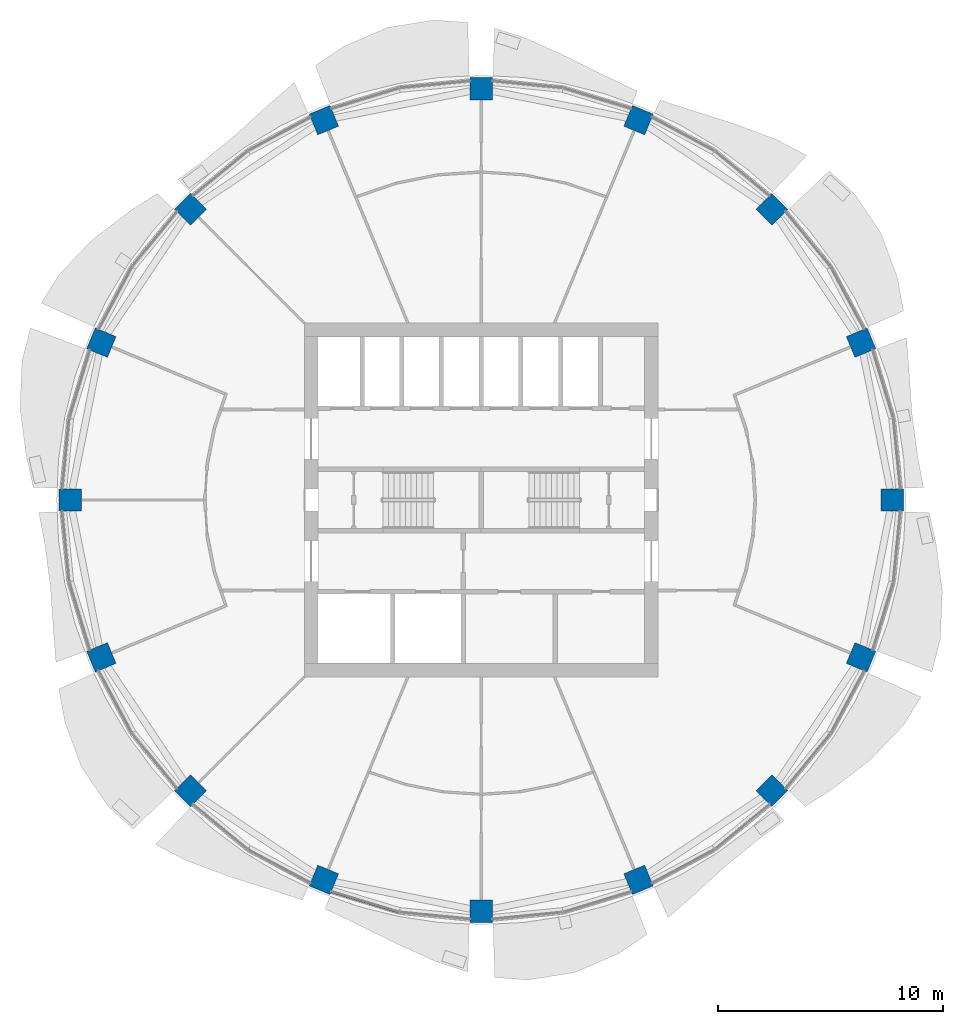
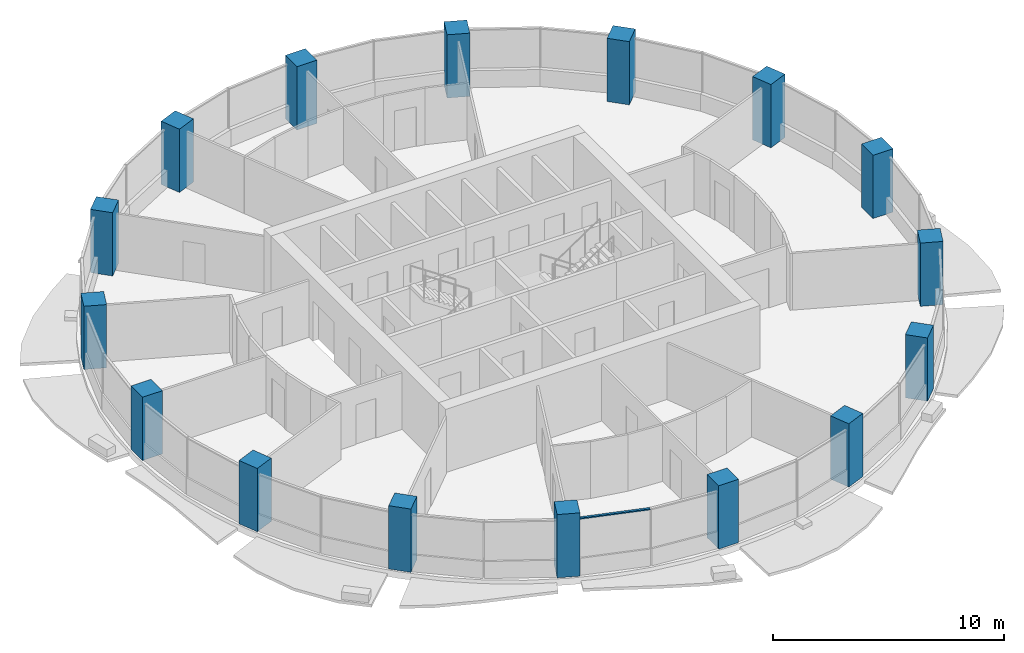
# One storey, part 1 of 14: 16 columns, 1 member, 1 element without a shape of its own.
"""IFC4 building model written with IfcOpenShell, lengths in metres."""

from ifc_helpers import new_model, si_unit, direction, frame, origin, origin_2d, place, context, subcontext, project, spatial, rectangle, extrude, material, material_profile, profile_set, type_object, element, aggregate, save


model = new_model("IFC4")

# Units and contexts
model_context = context("Model", 3, precision=1e-05, world=origin(), true_north=direction((0.0, 1.0)))
body_context = subcontext(model_context, "Body", "Model", "MODEL_VIEW")
ifc_project = project(units=[si_unit("LENGTHUNIT", "METRE"), si_unit("AREAUNIT", "SQUARE_METRE"), si_unit("VOLUMEUNIT", "CUBIC_METRE"), si_unit("PLANEANGLEUNIT", "RADIAN"), si_unit("MASSUNIT", "GRAM", prefix="KILO")], contexts=[model_context])

# Site, building, storey
site_placement = place(None, origin())
site = spatial("IfcSite", under=ifc_project, at=site_placement, CompositionType="ELEMENT")
building_placement = place(site_placement, origin())
building = spatial("IfcBuilding", under=site, at=building_placement, Name="Polderwave Tower", CompositionType="ELEMENT")
storey_placement = place(building_placement, frame((0.0, 0.0, 147.75)))
storey = spatial("IfcBuildingStorey", under=building, at=storey_placement, Name="L39", CompositionType="ELEMENT", Elevation=147.75)

# Columns
ifc_material_1 = material(Name="Concrete C60/75", Category="concrete")
ifc_material_profile_1 = material_profile(ifc_material_1, rectangle(XDim=1.0, YDim=1.0, at=origin_2d()), Name="RC 1000x1000")
ifc_profile_set_1 = profile_set([ifc_material_profile_1], Name="Concrete C60/75")
column_type = type_object("IfcColumnType", Name="RC COLUMN 1000x1000 C60/75", PredefinedType="COLUMN", material=ifc_profile_set_1)
for number, where, z_axis, x_axis, name in (
    (1, (18.300048828125, 0.0, 0.0), (0.0, 0.0, 1.0), (1.0, 0.0, 0.0), "Ring column 01"),
    (2, (16.906982421875, 7.003173828125, 0.0), (0.0, 0.0, 1.0), (0.923879532511, 0.382683432365, 0.0), "Ring column 02"),
    (3, (12.93994140625, 12.93994140625, 0.0), (0.0, 0.0, 1.0), (0.707106781187, 0.707106781187, 0.0), "Ring column 03"),
    (4, (7.003173828125, 16.906982421875, 0.0), (0.0, 0.0, 1.0), (0.382683432365, 0.923879532511, 0.0), "Ring column 04"),
    (5, (0.0, 18.300048828125, 0.0), (0.0, 0.0, 1.0), (0.0, 1.0, 0.0), "Ring column 05"),
    (6, (-7.003173828125, 16.906982421875, 0.0), (0.0, 0.0, 1.0), (-0.382683432365, 0.923879532511, 0.0), "Ring column 06"),
    (7, (-12.93994140625, 12.93994140625, 0.0), (0.0, 0.0, 1.0), (-0.707106781187, 0.707106781187, 0.0), "Ring column 07"),
    (8, (-16.906982421875, 7.003173828125, 0.0), (0.0, 0.0, 1.0), (-0.923879532511, 0.382683432365, 0.0), "Ring column 08"),
    (9, (-18.300048828125, 0.0, 0.0), (0.0, 0.0, 1.0), (-1.0, 0.0, 0.0), "Ring column 09"),
    (10, (-16.906982421875, -7.003173828125, 0.0), (0.0, 0.0, 1.0), (-0.923879532511, -0.382683432365, 0.0), "Ring column 10"),
    (11, (-12.93994140625, -12.93994140625, 0.0), (0.0, 0.0, 1.0), (-0.707106781187, -0.707106781187, 0.0), "Ring column 11"),
    (12, (-7.003173828125, -16.906982421875, 0.0), (0.0, 0.0, 1.0), (-0.382683432365, -0.923879532511, 0.0), "Ring column 12"),
    (13, (0.0, -18.300048828125, 0.0), (0.0, 0.0, 1.0), (0.0, -1.0, 0.0), "Ring column 13"),
    (14, (7.003173828125, -16.906982421875, 0.0), (0.0, 0.0, 1.0), (0.382683432365, -0.923879532511, 0.0), "Ring column 14"),
    (15, (12.93994140625, -12.93994140625, 0.0), (0.0, 0.0, 1.0), (0.707106781187, -0.707106781187, 0.0), "Ring column 15"),
    (16, (16.906982421875, -7.003173828125, 0.0), (0.0, 0.0, 1.0), (0.923879532511, -0.382683432365, 0.0), "Ring column 16"),
):
    element("IfcColumn", number, at=place(storey_placement, frame(where, z_axis=z_axis, x_axis=x_axis)), inside=storey, type_object=column_type, Name=name, PredefinedType="COLUMN", context=body_context, shape_type="SweptSolid", body=[
        extrude(rectangle(XDim=1.0, YDim=1.0, at=origin_2d()), origin(), (0.0, 0.0, 1.0), 3.35009765625),
    ])

# Curtain wall, member
ifc_material_2 = material(Name="Aluminium 6063-T6 and glass", Category="aluminium")
curtain_wall_type = type_object("IfcCurtainWallType", Name="Office ribbon glazing wall", PredefinedType="NOTDEFINED", material=ifc_material_2)
curtain_wall_placement = place(storey_placement, origin())
curtain_wall = element("IfcCurtainWall", 17, at=curtain_wall_placement, inside=storey, type_object=curtain_wall_type, Name="CW3 L39 11", PredefinedType="NOTDEFINED")
ifc_material_3 = material(Name="Aluminium 6063-T6", Category="aluminium")
ifc_material_profile_2 = material_profile(ifc_material_3, rectangle(XDim=0.1201171875, YDim=0.06005859375, at=origin_2d()), Name="AL 60x120")
ifc_profile_set_2 = profile_set([ifc_material_profile_2], Name="Aluminium 6063-T6")
member_type = type_object("IfcMemberType", Name="Office ribbon glazing transom 60x120", PredefinedType="USERDEFINED", material=ifc_profile_set_2)
member_placement = place(storey_placement, frame((-6.675048828125, -17.422119140625, 2.969970703125), z_axis=(0.956884827172, -0.290467601512, 0.0), x_axis=(0.290467601512, 0.956884827172, 0.0)))
member = element("IfcMember", 18, at=member_placement, type_object=member_type, Name="CW3 transom 1", ObjectType="TRANSOM", PredefinedType="USERDEFINED", context=body_context, shape_type="SweptSolid", body=[
    extrude(rectangle(XDim=0.1201171875, YDim=0.06005859375, at=origin_2d()), origin(), (0.0, 0.0, 1.0), 3.135986328125),
])
aggregate(curtain_wall, [member])

save(model, "model.ifc")
